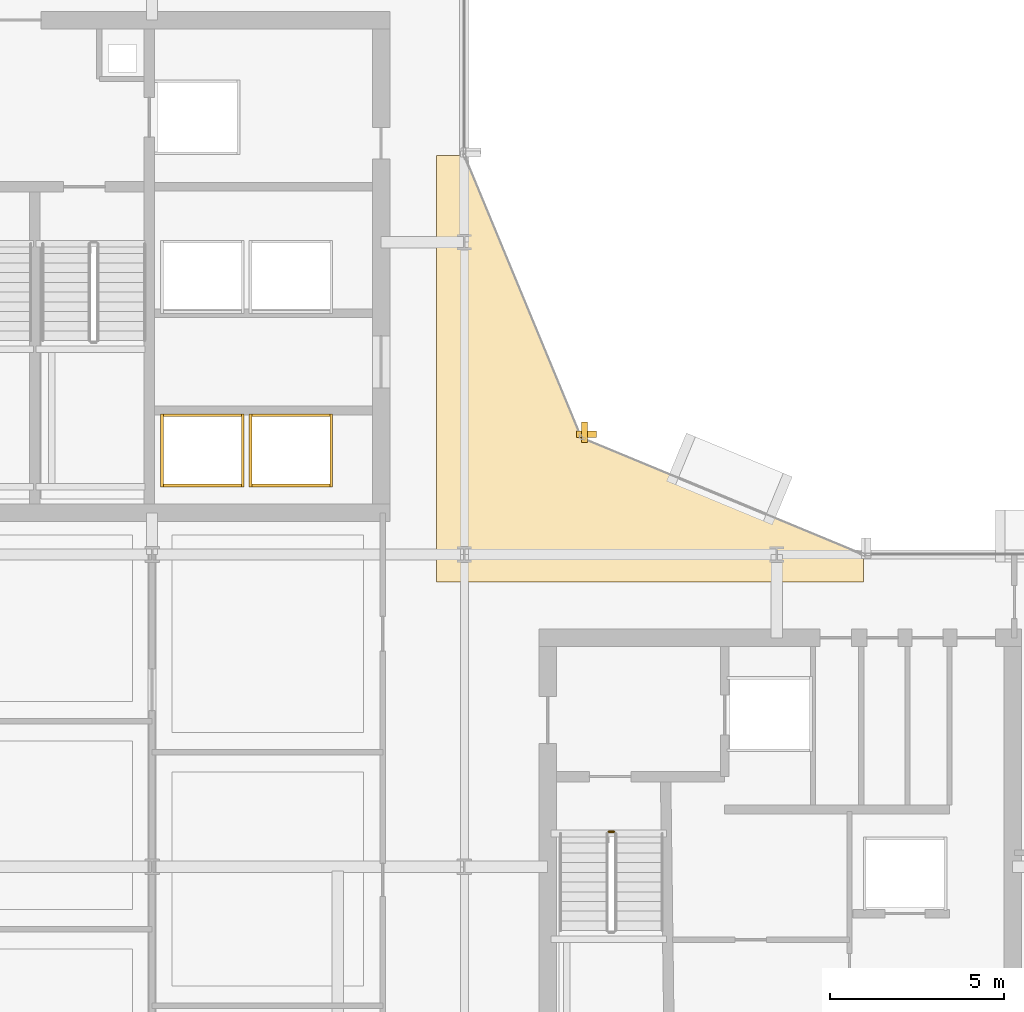
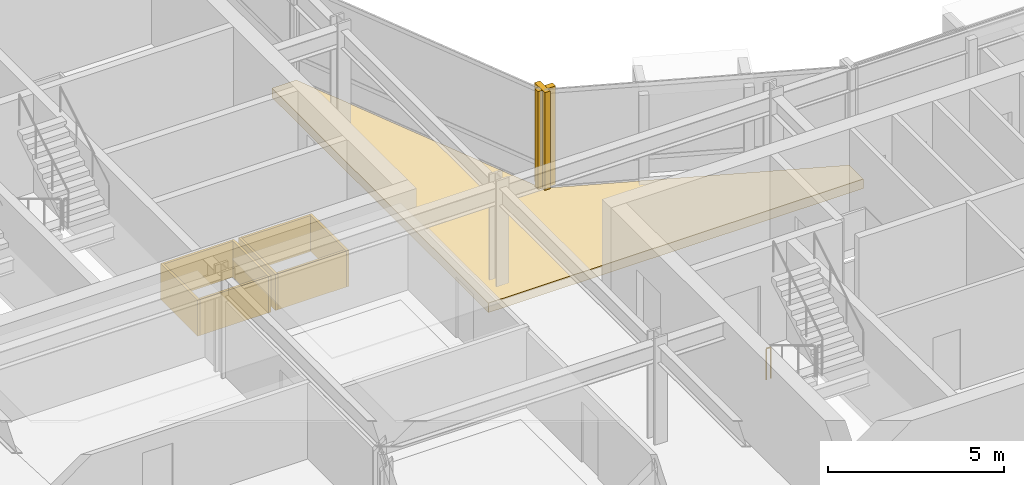
# One storey, part 26 of 28: 11 coverings, 1 railing.
"""IFC4 building model written with IfcOpenShell, lengths in metres."""

from ifc_helpers import new_model, si_unit, direction, frame, origin, origin_2d, place, context, subcontext, project, spatial, polyline, rectangle, circle, outline, extrude, material, layer, layer_set, type_object, element, save


model = new_model("IFC4")

# Units and contexts
model_context = context("Model", 3, precision=1e-05, world=origin(), true_north=direction((0.0, 1.0)))
body_context = subcontext(model_context, "Body", "Model", "MODEL_VIEW")
ifc_project = project(units=[si_unit("LENGTHUNIT", "METRE"), si_unit("AREAUNIT", "SQUARE_METRE"), si_unit("VOLUMEUNIT", "CUBIC_METRE"), si_unit("PLANEANGLEUNIT", "RADIAN"), si_unit("MASSUNIT", "GRAM", prefix="KILO")], contexts=[model_context])

# Site, building, storey
site_placement = place(None, origin())
site = spatial("IfcSite", under=ifc_project, at=site_placement, CompositionType="ELEMENT")
building_placement = place(site_placement, origin())
building = spatial("IfcBuilding", under=site, at=building_placement, Name="Solvaryn Broadcast Tower", CompositionType="ELEMENT")
storey_placement = place(building_placement, frame((0.0, 0.0, 135.89990234375)))
storey = spatial("IfcBuildingStorey", under=building, at=storey_placement, Name="L33", CompositionType="ELEMENT", Elevation=135.89990234375)

# Coverings
ifc_material_1 = material(Name="Fire-Rated Gypsum Shaftwall Liner", Category="concrete")
ifc_layer_1 = layer(ifc_material_1, 0.080078125)
ifc_layer_set_1 = layer_set([ifc_layer_1], Name="CV-SHAFT-LINER")
covering_type_1 = type_object("IfcCoveringType", Name="CV-SHAFT-LINER", PredefinedType="CLADDING", material=ifc_layer_set_1)
for number, where, z_axis, x_axis, name in (
    (1, (19.449951171875, 31.014892578125, 0.0), (0.0, 0.0, 1.0), (1.0, 0.0, 0.0), "L33 PH1 Hoistway Shaft Liner North"),
    (2, (19.449951171875, 28.985107421875, 0.0), (0.0, 0.0, 1.0), (1.0, 0.0, 0.0), "L33 PH1 Hoistway Shaft Liner South"),
):
    element("IfcCovering", number, at=place(storey_placement, frame(where, z_axis=z_axis, x_axis=x_axis)), inside=storey, type_object=covering_type_1, Name=name, PredefinedType="CLADDING", context=body_context, shape_type="SweptSolid", body=[
        extrude(rectangle(XDim=2.409912109375, YDim=0.080078125, at=origin_2d()), origin(), (0.0, 0.0, 1.0), 1.25),
    ])
for number, where, z_axis, x_axis, name in (
    (3, (20.614990234375, 30.0, 0.0), (0.0, 0.0, 1.0), (1.0, 0.0, 0.0), "L33 PH1 Hoistway Shaft Liner East"),
    (4, (18.284912109375, 30.0, 0.0), (0.0, 0.0, 1.0), (1.0, 0.0, 0.0), "L33 PH1 Hoistway Shaft Liner West"),
):
    element("IfcCovering", number, at=place(storey_placement, frame(where, z_axis=z_axis, x_axis=x_axis)), inside=storey, type_object=covering_type_1, Name=name, PredefinedType="CLADDING", context=body_context, shape_type="SweptSolid", body=[
        extrude(rectangle(XDim=0.080078125, YDim=2.110107421875, at=origin_2d()), origin(), (0.0, 0.0, 1.0), 1.25),
    ])
for number, where, z_axis, x_axis, name in (
    (5, (22.0, 31.014892578125, 0.0), (0.0, 0.0, 1.0), (1.0, 0.0, 0.0), "L33 PH2 Hoistway Shaft Liner North"),
    (6, (22.0, 28.985107421875, 0.0), (0.0, 0.0, 1.0), (1.0, 0.0, 0.0), "L33 PH2 Hoistway Shaft Liner South"),
):
    element("IfcCovering", number, at=place(storey_placement, frame(where, z_axis=z_axis, x_axis=x_axis)), inside=storey, type_object=covering_type_1, Name=name, PredefinedType="CLADDING", context=body_context, shape_type="SweptSolid", body=[
        extrude(rectangle(XDim=2.409912109375, YDim=0.080078125, at=origin_2d()), origin(), (0.0, 0.0, 1.0), 1.25),
    ])
for number, where, z_axis, x_axis, name in (
    (7, (23.1650390625, 30.0, 0.0), (0.0, 0.0, 1.0), (1.0, 0.0, 0.0), "L33 PH2 Hoistway Shaft Liner East"),
    (8, (20.8349609375, 30.0, 0.0), (0.0, 0.0, 1.0), (1.0, 0.0, 0.0), "L33 PH2 Hoistway Shaft Liner West"),
):
    element("IfcCovering", number, at=place(storey_placement, frame(where, z_axis=z_axis, x_axis=x_axis)), inside=storey, type_object=covering_type_1, Name=name, PredefinedType="CLADDING", context=body_context, shape_type="SweptSolid", body=[
        extrude(rectangle(XDim=0.080078125, YDim=2.110107421875, at=origin_2d()), origin(), (0.0, 0.0, 1.0), 1.25),
    ])
ifc_material_2 = material(Name="Extruded Architectural Terracotta Fin", Category="masonry")
ifc_layer_2 = layer(ifc_material_2, 0.179931640625)
ifc_layer_set_2 = layer_set([ifc_layer_2], Name="CV-TC-FIN")
covering_type_2 = type_object("IfcCoveringType", Name="CV-TC-FIN", PredefinedType="USERDEFINED", material=ifc_layer_set_2)
covering_1_placement = place(storey_placement, frame((30.464599609375, 30.52294921875, 0.000244140625), z_axis=(0.0, 0.0, 1.0), x_axis=(1.0, 0.0, 0.0)))
element("IfcCovering", 9, at=covering_1_placement, inside=storey, type_object=covering_type_2, Name="L33 Terracotta Vertical Fin FIN-L33-CN1-M01", ObjectType="FIN", PredefinedType="USERDEFINED", context=body_context, shape_type="SweptSolid", body=[
    extrude(rectangle(XDim=0.179931640625, YDim=0.580078125, at=origin_2d()), origin(), (0.0, 0.0, 1.0), 3.419921875),
])
covering_2_placement = place(storey_placement, frame((30.52294921875, 30.464599609375, 0.000244140625), z_axis=(0.0, 0.0, 1.0), x_axis=(1.0, 0.0, 0.0)))
element("IfcCovering", 10, at=covering_2_placement, inside=storey, type_object=covering_type_2, Name="L33 Terracotta Vertical Fin FIN-L33-CN2-M00", ObjectType="FIN", PredefinedType="USERDEFINED", context=body_context, shape_type="SweptSolid", body=[
    extrude(rectangle(XDim=0.580078125, YDim=0.179931640625, at=origin_2d()), origin(), (0.0, 0.0, 1.0), 3.419921875),
])
ifc_material_3 = material(Name="Sculpted Architectural Terracotta Wave Fascia", Category="masonry")
ifc_layer_3 = layer(ifc_material_3, 0.340087890625)
ifc_layer_set_3 = layer_set([ifc_layer_3], Name="CV-WAVE-TRAY")
covering_type_3 = type_object("IfcCoveringType", Name="CV-WAVE-TRAY", PredefinedType="CLADDING", material=ifc_layer_set_3)
covering_3_placement = place(storey_placement, frame((0.0, 0.0, -0.2998046875)))
element("IfcCovering", 11, at=covering_3_placement, inside=storey, type_object=covering_type_3, Name="L33 Concave Canyon Floor Apron", PredefinedType="CLADDING", context=body_context, shape_type="SweptSolid", body=[
    extrude(outline(polyline([(26.199951171875, 26.199951171875), (38.5, 26.199951171875), (38.5, 27.0), (30.367919921875, 30.367919921875), (27.0, 38.5), (26.199951171875, 38.5), (26.199951171875, 26.199951171875)])), origin(), (0.0, 0.0, 1.0), 0.329833984375),
])

# Railing
ifc_material_4 = material(Name="Painted Steel Stair Well Guard", Category="steel")
railing_type = type_object("IfcRailingType", Name="RL-STAIR-GUARD", PredefinedType="BALUSTRADE", material=ifc_material_4)
railing_placement = place(storey_placement, frame((31.159912109375, 19.010009765625, 0.0)))
element("IfcRailing", 12, at=railing_placement, inside=storey, type_object=railing_type, Name="L33 ST3 stair guard 4", PredefinedType="BALUSTRADE", context=body_context, shape_type="SweptSolid", body=[
    extrude(circle(Radius=0.02392578125, at=origin_2d()), frame((0.0, 0.0, 1.076171875), z_axis=(1.0, 0.0, 0.0), x_axis=(0.0, 1.0, 0.0)), (0.0, 0.0, 1.0), 0.150146484375),
    extrude(circle(Radius=0.02099609375, at=origin_2d()), origin(), (0.0, 0.0, 1.0), 1.052001953125),
    extrude(circle(Radius=0.02099609375, at=origin_2d()), frame((0.150146484375, 0.0, 0.0)), (0.0, 0.0, 1.0), 1.052001953125),
])

save(model, "model.ifc")
